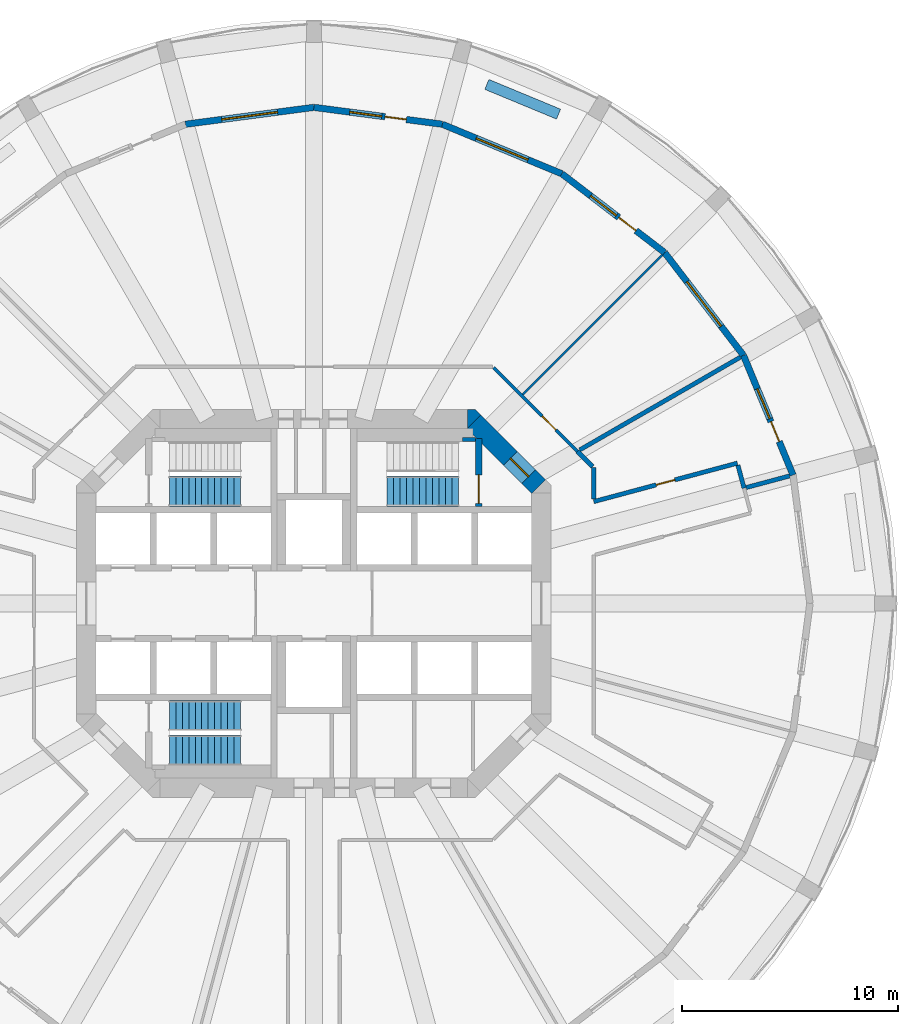
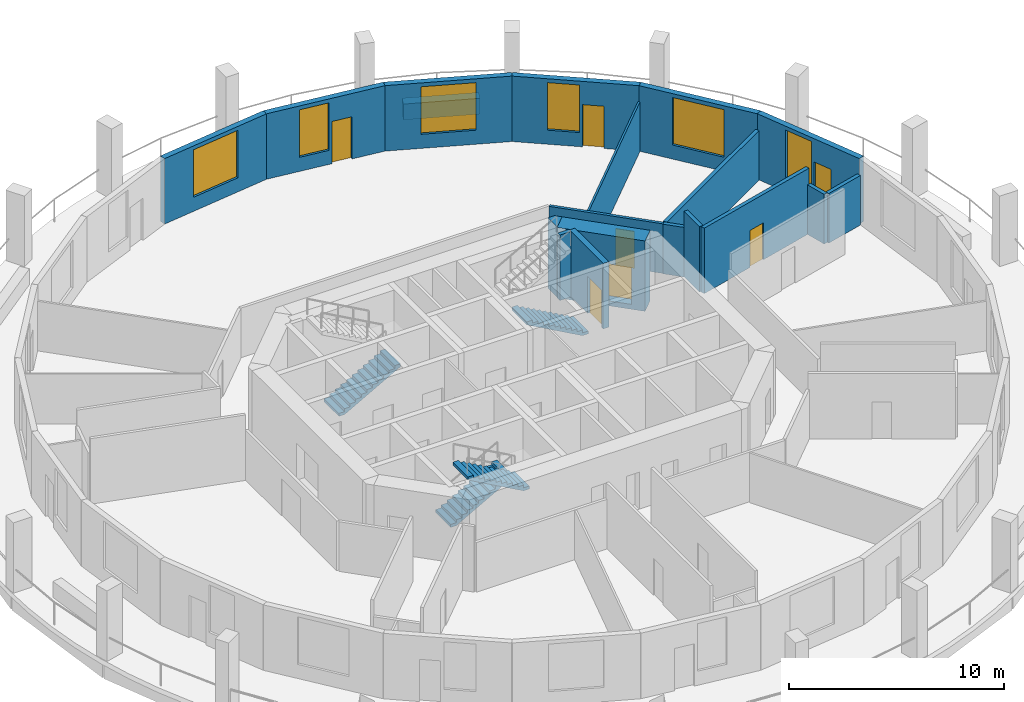
# One storey, part 6 of 9: 19 walls, 7 doors, 6 windows, 4 stair flights, 13 openings, 3 elements without a shape of their own.
"""IFC4 building model written with IfcOpenShell, lengths in metres."""

from ifc_helpers import new_model, si_unit, direction, frame, frame_2d, origin, place, context, subcontext, project, spatial, polyline, rectangle, outline, extrude, material, layer, layer_set, type_object, element, fill, aggregate, save


model = new_model("IFC4")

# Units and contexts
model_context = context("Model", 3, precision=1e-05, world=origin(), true_north=direction((0.0, 1.0)))
body_context = subcontext(model_context, "Body", "Model", "MODEL_VIEW")
ifc_project = project(units=[si_unit("LENGTHUNIT", "METRE"), si_unit("AREAUNIT", "SQUARE_METRE"), si_unit("VOLUMEUNIT", "CUBIC_METRE"), si_unit("PLANEANGLEUNIT", "RADIAN"), si_unit("MASSUNIT", "GRAM", prefix="KILO")], contexts=[model_context])

# Site, building, storey
site_placement = place(None, origin())
site = spatial("IfcSite", under=ifc_project, at=site_placement, CompositionType="ELEMENT")
building_placement = place(site_placement, origin())
building = spatial("IfcBuilding", under=site, at=building_placement, Name="Torre Triforio", CompositionType="ELEMENT")
storey_placement = place(building_placement, frame((0.0, 0.0, 39.0)))
storey = spatial("IfcBuildingStorey", under=building, at=storey_placement, Name="L07", CompositionType="ELEMENT", Elevation=39.0)

# Wall, opening, door
ifc_material_1 = material(Name="Concrete C60", Category="concrete")
ifc_layer_1 = layer(ifc_material_1, 0.89990234375)
ifc_layer_set_1 = layer_set([ifc_layer_1], Name="Concrete C60")
wall_type_1 = type_object("IfcWallType", Name="Core wall 900 mm C60 EI 120", PredefinedType="SHEAR", material=ifc_layer_set_1)
wall_1_placement = place(storey_placement, frame((7.418212890625, 8.418212890625, -0.280029296875), z_axis=(0.0, 0.0, 1.0), x_axis=(0.707106781187, -0.707106781187, 0.0)))
wall_1 = element("IfcWall", 1, at=wall_1_placement, inside=storey, type_object=wall_type_1, Name="Core wall", PredefinedType="SHEAR", context=body_context, shape_type="SweptSolid", body=[
    extrude(rectangle(XDim=4.24267578125, YDim=0.89990234375, at=frame_2d((2.121337890625, 0.0))), origin(), (0.0, 0.0, 1.0), 4.0),
])
opening_1_placement = place(wall_1_placement, frame((2.392578125, 0.0, 0.280029296875)))
opening_1 = element("IfcOpeningElement", 2, at=opening_1_placement, cuts=wall_1, Name="Opening ST2-EXIT", PredefinedType="OPENING", context=body_context, shape_type="SweptSolid", body=[
    extrude(rectangle(XDim=1.199951171875, YDim=2.10009765625, at=frame_2d((0.60009765625, 1.050048828125))), frame((0.0, 0.4599609375, 0.0), z_axis=(0.0, -1.0, 0.0), x_axis=(1.0, 0.0, 0.0)), (0.0, 0.0, 1.0), 0.919921875),
])
ifc_material_2 = material(Name="Hollow metal fire door leaf")
door_type_1 = type_object("IfcDoorType", Name="Stair lobby door 1200 x 2100 EI 60", OperationType="NOTDEFINED", PredefinedType="DOOR", material=ifc_material_2)
door_1_placement = place(opening_1_placement, origin())
door_1 = element("IfcDoor", 3, at=door_1_placement, inside=storey, type_object=door_type_1, Name="Core door ST2-EXIT", OperationType="SINGLE_SWING_RIGHT", OverallHeight=2.10009765625, OverallWidth=1.199951171875, PredefinedType="DOOR", context=body_context, shape_type="SweptSolid", body=[
    extrude(rectangle(XDim=1.199951171875, YDim=2.10009765625, at=frame_2d((0.60009765625, 1.050048828125))), frame((0.0, 0.02490234375, 0.0), z_axis=(0.0, -1.0, 0.0), x_axis=(1.0, 0.0, 0.0)), (0.0, 0.0, 1.0), 0.050048828125),
])
fill(opening_1, door_1)

# Wall
wall_2_placement = place(storey_placement, frame((0.0, 0.0, -0.280029296875)))
element("IfcWall", 4, at=wall_2_placement, inside=storey, type_object=wall_type_1, Name="Core wall", PredefinedType="SHEAR", context=body_context, shape_type="SweptSolid", body=[
    extrude(outline(polyline([(7.472900390625, 9.0), (7.736328125, 8.736328125), (7.1298828125, 8.1298828125), (7.1298828125, 9.0), (7.472900390625, 9.0)])), origin(), (0.0, 0.0, 1.0), 4.0),
])

# Wall, opening, door
ifc_material_3 = material(Name="Plasterboard on metal studs")
ifc_layer_2 = layer(ifc_material_3, 0.14990234375)
ifc_layer_set_2 = layer_set([ifc_layer_2], Name="Plasterboard on metal studs")
wall_type_2 = type_object("IfcWallType", Name="Corridor and tenancy wall 150 mm EI 60", PredefinedType="PARTITIONING", material=ifc_layer_set_2)
wall_3_placement = place(storey_placement, frame((8.327880859375, 10.93798828125, 0.0), z_axis=(0.0, 0.0, 1.0), x_axis=(0.707106781187, -0.707106781187, 0.0)))
wall_3 = element("IfcWall", 5, at=wall_3_placement, inside=storey, type_object=wall_type_2, Name="Partition 21", PredefinedType="PARTITIONING", context=body_context, shape_type="SweptSolid", body=[
    extrude(rectangle(XDim=5.495849609375, YDim=0.14990234375, at=frame_2d((2.748046875, 0.0))), origin(), (0.0, 0.0, 1.0), 2.820068359375),
])
opening_2_placement = place(wall_3_placement, frame((3.195556640625, 0.0, 0.0)))
opening_2 = element("IfcOpeningElement", 6, at=opening_2_placement, cuts=wall_3, Name="Opening N2-12", PredefinedType="OPENING", context=body_context, shape_type="SweptSolid", body=[
    extrude(rectangle(XDim=0.89990234375, YDim=2.10009765625, at=frame_2d((0.449951171875, 1.050048828125))), frame((0.0, 0.0849609375, 0.0), z_axis=(0.0, -1.0, 0.0), x_axis=(1.0, 0.0, 0.0)), (0.0, 0.0, 1.0), 0.169921875),
])
ifc_material_4 = material(Name="Timber", Category="wood")
door_type_2 = type_object("IfcDoorType", Name="Door 900 x 2100 single leaf EI 30", OperationType="NOTDEFINED", PredefinedType="DOOR", material=ifc_material_4)
door_2_placement = place(opening_2_placement, origin())
door_2 = element("IfcDoor", 7, at=door_2_placement, inside=storey, type_object=door_type_2, Name="Door N2-12", OperationType="SINGLE_SWING_RIGHT", OverallHeight=2.10009765625, OverallWidth=0.89990234375, PredefinedType="DOOR", context=body_context, shape_type="SweptSolid", body=[
    extrude(rectangle(XDim=0.89990234375, YDim=2.10009765625, at=frame_2d((0.449951171875, 1.050048828125))), frame((0.0, 0.02490234375, 0.0), z_axis=(0.0, -1.0, 0.0), x_axis=(1.0, 0.0, 0.0)), (0.0, 0.0, 1.0), 0.050048828125),
])
fill(opening_2, door_2)

# Walls
ifc_layer_3 = layer(ifc_material_3, 0.10009765625)
ifc_layer_set_3 = layer_set([ifc_layer_3], Name="Plasterboard on metal studs")
wall_type_3 = type_object("IfcWallType", Name="Partition 100 mm board on metal studs", PredefinedType="PARTITIONING", material=ifc_layer_set_3)
wall_4_placement = place(storey_placement, frame((9.68603515625, 9.68603515625, 0.0), z_axis=(0.0, 0.0, 1.0), x_axis=(0.707106781187, 0.707106781187, 0.0)))
element("IfcWall", 8, at=wall_4_placement, inside=storey, type_object=wall_type_3, Name="Partition 32", PredefinedType="PARTITIONING", context=body_context, shape_type="SweptSolid", body=[
    extrude(rectangle(XDim=9.138427734375, YDim=0.10009765625, at=frame_2d((4.5693359375, 0.0))), origin(), (0.0, 0.0, 1.0), 2.820068359375),
])
ifc_material_5 = material(Name="Masonry block", Category="masonry")
ifc_layer_4 = layer(ifc_material_5, 0.199951171875)
ifc_layer_set_4 = layer_set([ifc_layer_4], Name="Masonry block")
wall_type_4 = type_object("IfcWallType", Name="Plant room wall 200 mm block EI 120", PredefinedType="PARTITIONING", material=ifc_layer_set_4)
wall_5_placement = place(storey_placement, frame((12.214111328125, 7.0517578125, 0.0), z_axis=(0.0, 0.0, 1.0), x_axis=(0.707106781187, -0.707106781187, 0.0)))
element("IfcWall", 9, at=wall_5_placement, inside=storey, type_object=wall_type_4, Name="Partition 22", PredefinedType="PARTITIONING", context=body_context, shape_type="SweptSolid", body=[
    extrude(rectangle(XDim=1.006103515625, YDim=0.199951171875, at=frame_2d((0.5029296875, 0.0))), origin(), (0.0, 0.0, 1.0), 2.820068359375),
])
wall_6_placement = place(storey_placement, frame((12.97509765625, 6.291015625, 0.0), z_axis=(0.0, 0.0, 1.0), x_axis=(0.0, -1.0, 0.0)))
element("IfcWall", 10, at=wall_6_placement, inside=storey, type_object=wall_type_4, Name="Partition 23", PredefinedType="PARTITIONING", context=body_context, shape_type="SweptSolid", body=[
    extrude(rectangle(XDim=1.44189453125, YDim=0.199951171875, at=frame_2d((0.720947265625, 0.0))), origin(), (0.0, 0.0, 1.0), 3.719970703125),
])

# Wall, opening, door
wall_7_placement = place(storey_placement, frame((12.97509765625, 4.718994140625, 0.0), z_axis=(0.0, 0.0, 1.0), x_axis=(0.965924499418, 0.258823997003, 0.0)))
wall_7 = element("IfcWall", 11, at=wall_7_placement, inside=storey, type_object=wall_type_4, Name="Partition 24", PredefinedType="PARTITIONING", context=body_context, shape_type="SweptSolid", body=[
    extrude(rectangle(XDim=6.894287109375, YDim=0.199951171875, at=frame_2d((3.447265625, 0.0))), origin(), (0.0, 0.0, 1.0), 3.719970703125),
])
opening_3_placement = place(wall_7_placement, frame((2.997314453125, 0.0, 0.0)))
opening_3 = element("IfcOpeningElement", 12, at=opening_3_placement, cuts=wall_7, Name="Opening N2-11", PredefinedType="OPENING", context=body_context, shape_type="SweptSolid", body=[
    extrude(rectangle(XDim=0.89990234375, YDim=2.10009765625, at=frame_2d((0.449951171875, 1.050048828125))), frame((0.0, 0.10986328125, 0.0), z_axis=(0.0, -1.0, 0.0), x_axis=(1.0, 0.0, 0.0)), (0.0, 0.0, 1.0), 0.219970703125),
])
door_type_3 = type_object("IfcDoorType", Name="Door 900 x 2100 single leaf EI 60", OperationType="NOTDEFINED", PredefinedType="DOOR", material=ifc_material_2)
door_3_placement = place(opening_3_placement, origin())
door_3 = element("IfcDoor", 13, at=door_3_placement, inside=storey, type_object=door_type_3, Name="Door N2-11", OperationType="SINGLE_SWING_LEFT", OverallHeight=2.10009765625, OverallWidth=0.89990234375, PredefinedType="DOOR", context=body_context, shape_type="SweptSolid", body=[
    extrude(rectangle(XDim=0.89990234375, YDim=2.10009765625, at=frame_2d((0.449951171875, 1.050048828125))), frame((0.0, 0.02490234375, 0.0), z_axis=(0.0, -1.0, 0.0), x_axis=(1.0, 0.0, 0.0)), (0.0, 0.0, 1.0), 0.050048828125),
])
fill(opening_3, door_3)

# Walls
wall_8_placement = place(storey_placement, frame((19.660400390625, 6.40673828125, 0.0), z_axis=(0.0, 0.0, 1.0), x_axis=(0.258795254151, -0.965932200741, 0.0)))
element("IfcWall", 14, at=wall_8_placement, inside=storey, type_object=wall_type_4, Name="Partition 25", PredefinedType="PARTITIONING", context=body_context, shape_type="SweptSolid", body=[
    extrude(rectangle(XDim=1.099853515625, YDim=0.199951171875, at=frame_2d((0.5498046875, 0.0))), origin(), (0.0, 0.0, 1.0), 2.820068359375),
])
wall_9_placement = place(storey_placement, frame((20.041748046875, 5.3701171875, 0.0), z_axis=(0.0, 0.0, 1.0), x_axis=(0.965912035991, 0.258870505712, 0.0)))
element("IfcWall", 15, at=wall_9_placement, inside=storey, type_object=wall_type_4, Name="Partition 30", PredefinedType="PARTITIONING", context=body_context, shape_type="SweptSolid", body=[
    extrude(rectangle(XDim=2.088134765625, YDim=0.199951171875, at=frame_2d((1.0439453125, 0.0))), origin(), (0.0, 0.0, 1.0), 2.820068359375),
])
wall_10_placement = place(storey_placement, frame((12.32666015625, 7.11669921875, 0.0), z_axis=(0.0, 0.0, 1.0), x_axis=(0.866013092914, 0.500021322448, 0.0)))
element("IfcWall", 16, at=wall_10_placement, inside=storey, type_object=wall_type_4, Name="Partition 31", PredefinedType="PARTITIONING", context=body_context, shape_type="SweptSolid", body=[
    extrude(rectangle(XDim=8.60302734375, YDim=0.199951171875, at=frame_2d((4.301513671875, 0.0))), origin(), (0.0, 0.0, 1.0), 2.820068359375),
])
ifc_material_6 = material(Name="Limestone cladding", Category="masonry")
ifc_layer_5 = layer(ifc_material_6, 0.10009765625)
ifc_material_7 = material(Name="Concrete C40", Category="concrete")
ifc_layer_6 = layer(ifc_material_7, 0.39990234375)
ifc_layer_set_5 = layer_set([ifc_layer_5, ifc_layer_6], Name="Limestone cladding / Concrete C40")
wall_type_5 = type_object("IfcWallType", Name="Planter wall 500", PredefinedType="PARAPET", material=ifc_layer_set_5)
wall_11_placement = place(storey_placement, frame((11.344970703125, 22.685302734375, 0.0), z_axis=(0.0, 0.0, 1.0), x_axis=(-0.923885420167, 0.382669217998, 0.0)))
element("IfcWall", 17, at=wall_11_placement, inside=storey, type_object=wall_type_5, Name="Planter L07 bay 05", PredefinedType="PARAPET", context=body_context, shape_type="SweptSolid", body=[
    extrude(rectangle(XDim=3.60009765625, YDim=0.5, at=frame_2d((1.800048828125, 0.0))), origin(), (0.0, 0.0, 1.0), 0.89990234375),
])
ifc_layer_7 = layer(ifc_material_1, 0.199951171875)
ifc_layer_set_6 = layer_set([ifc_layer_7], Name="Concrete C60")
wall_type_6 = type_object("IfcWallType", Name="Stair wall 200 mm C60 EI 120", PredefinedType="SHEAR", material=ifc_layer_set_6)
wall_12_placement = place(storey_placement, frame((6.89990234375, 7.60009765625, 0.0), z_axis=(0.0, 0.0, 1.0), x_axis=(1.0, 0.0, 0.0)))
element("IfcWall", 18, at=wall_12_placement, inside=storey, type_object=wall_type_6, Name="Stair wall", PredefinedType="SHEAR", context=body_context, shape_type="SweptSolid", body=[
    extrude(rectangle(XDim=0.60009765625, YDim=0.199951171875, at=frame_2d((0.300048828125, 0.0))), origin(), (0.0, 0.0, 1.0), 3.719970703125),
])

# Wall, opening, door
ifc_layer_8 = layer(ifc_material_1, 0.300048828125)
ifc_layer_set_7 = layer_set([ifc_layer_8], Name="Concrete C60")
wall_type_7 = type_object("IfcWallType", Name="Stair wall 300 mm C60 EI 120", PredefinedType="SHEAR", material=ifc_layer_set_7)
wall_13_placement = place(storey_placement, frame((7.64990234375, 4.5, 0.0), z_axis=(0.0, 0.0, 1.0), x_axis=(0.0, 1.0, 0.0)))
wall_13 = element("IfcWall", 19, at=wall_13_placement, inside=storey, type_object=wall_type_7, Name="Stair wall", PredefinedType="SHEAR", context=body_context, shape_type="SweptSolid", body=[
    extrude(rectangle(XDim=3.139892578125, YDim=0.300048828125, at=frame_2d((1.56982421875, 0.0))), origin(), (0.0, 0.0, 1.0), 3.719970703125),
])
opening_4_placement = place(wall_13_placement, frame((0.139892578125, 0.0, 0.0)))
opening_4 = element("IfcOpeningElement", 20, at=opening_4_placement, cuts=wall_13, Name="Opening ST2-STA", PredefinedType="OPENING", context=body_context, shape_type="SweptSolid", body=[
    extrude(rectangle(XDim=1.320068359375, YDim=2.10009765625, at=frame_2d((0.66015625, 1.050048828125))), frame((0.0, 0.159912109375, 0.0), z_axis=(0.0, -1.0, 0.0), x_axis=(1.0, 0.0, 0.0)), (0.0, 0.0, 1.0), 0.320068359375),
])
door_type_4 = type_object("IfcDoorType", Name="Stair door 1320 x 2100 EI 90", OperationType="DOUBLE_DOOR_SINGLE_SWING", PredefinedType="DOOR", material=ifc_material_2)
door_4_placement = place(opening_4_placement, origin())
door_4 = element("IfcDoor", 21, at=door_4_placement, inside=storey, type_object=door_type_4, Name="Core door ST2-ST", OperationType="DOUBLE_DOOR_SINGLE_SWING", OverallHeight=2.10009765625, OverallWidth=1.320068359375, PredefinedType="DOOR", context=body_context, shape_type="SweptSolid", body=[
    extrude(rectangle(XDim=1.320068359375, YDim=2.10009765625, at=frame_2d((0.66015625, 1.050048828125))), frame((0.0, 0.02490234375, 0.0), z_axis=(0.0, -1.0, 0.0), x_axis=(1.0, 0.0, 0.0)), (0.0, 0.0, 1.0), 0.050048828125),
])
fill(opening_4, door_4)

# Wall, openings, door, window
ifc_layer_9 = layer(ifc_material_6, 0.10009765625)
ifc_layer_10 = layer(ifc_material_7, 0.199951171875)
ifc_layer_set_8 = layer_set([ifc_layer_9, ifc_layer_10], Name="Limestone cladding / Concrete C40")
wall_type_8 = type_object("IfcWallType", Name="Stone-faced composite wall 300", PredefinedType="STANDARD", material=ifc_layer_set_8)
wall_14_placement = place(storey_placement, frame((22.21630859375, 5.952880859375, 0.0), z_axis=(0.0, 0.0, 1.0), x_axis=(-0.382671411433, 0.923884511653, 0.0)))
wall_14 = element("IfcWall", 22, at=wall_14_placement, inside=storey, type_object=wall_type_8, Name="External wall L07 bay 02", PredefinedType="STANDARD", context=body_context, shape_type="SweptSolid", body=[
    extrude(rectangle(XDim=6.004150390625, YDim=0.300048828125, at=frame_2d((3.001953125, 0.0))), origin(), (0.0, 0.0, 1.0), 3.719970703125),
])
opening_5_placement = place(wall_14_placement, frame((1.677001953125, 0.0, 0.0)))
opening_5 = element("IfcOpeningElement", 23, at=opening_5_placement, cuts=wall_14, Name="Opening N2-D02", PredefinedType="OPENING", context=body_context, shape_type="SweptSolid", body=[
    extrude(rectangle(XDim=1.0, YDim=2.39990234375, at=frame_2d((0.5, 1.199951171875))), frame((0.0, 0.159912109375, 0.0), z_axis=(0.0, -1.0, 0.0), x_axis=(1.0, 0.0, 0.0)), (0.0, 0.0, 1.0), 0.320068359375),
])
opening_6_placement = place(wall_14_placement, frame((2.8271484375, 0.0, 0.800048828125)))
opening_6 = element("IfcOpeningElement", 24, at=opening_6_placement, cuts=wall_14, Name="Opening N2-W02A", PredefinedType="OPENING", context=body_context, shape_type="SweptSolid", body=[
    extrude(rectangle(XDim=1.5, YDim=2.699951171875, at=frame_2d((0.75, 1.35009765625))), frame((0.0, 0.159912109375, 0.0), z_axis=(0.0, -1.0, 0.0), x_axis=(1.0, 0.0, 0.0)), (0.0, 0.0, 1.0), 0.320068359375),
])
ifc_material_8 = material(Name="Aluminium frame with clear double glazing", Category="aluminium")
door_type_5 = type_object("IfcDoorType", Name="Loggia door 1000 x 2400", OperationType="NOTDEFINED", PredefinedType="DOOR", material=ifc_material_8)
door_5_placement = place(opening_5_placement, origin())
door_5 = element("IfcDoor", 25, at=door_5_placement, inside=storey, type_object=door_type_5, Name="Loggia door L07 bay 02", OperationType="SINGLE_SWING_LEFT", OverallHeight=2.39990234375, OverallWidth=1.0, PredefinedType="DOOR", context=body_context, shape_type="SweptSolid", body=[
    extrude(rectangle(XDim=1.0, YDim=2.39990234375, at=frame_2d((0.5, 1.199951171875))), frame((0.0, 0.02490234375, 0.0), z_axis=(0.0, -1.0, 0.0), x_axis=(1.0, 0.0, 0.0)), (0.0, 0.0, 1.0), 0.050048828125),
])
fill(opening_5, door_5)
window_type_1 = type_object("IfcWindowType", Name="Side window 1500 x 2700", PartitioningType="SINGLE_PANEL", PredefinedType="WINDOW", material=ifc_material_8)
window_1_placement = place(opening_6_placement, origin())
window_1 = element("IfcWindow", 26, at=window_1_placement, inside=storey, type_object=window_type_1, Name="Side window EWN12 L07 bay 02", OverallHeight=2.699951171875, OverallWidth=1.5, PartitioningType="SINGLE_PANEL", PredefinedType="WINDOW", context=body_context, shape_type="SweptSolid", body=[
    extrude(rectangle(XDim=1.5, YDim=2.699951171875, at=frame_2d((0.75, 1.35009765625))), frame((0.0, 0.030029296875, 0.0), z_axis=(0.0, -1.0, 0.0), x_axis=(1.0, 0.0, 0.0)), (0.0, 0.0, 1.0), 0.06005859375),
])
fill(opening_6, window_1)

# Wall, opening, window
wall_15_placement = place(storey_placement, frame((19.918701171875, 11.5, 0.0), z_axis=(0.0, 0.0, 1.0), x_axis=(-0.608778912074, 0.793339924758, 0.0)))
wall_15 = element("IfcWall", 27, at=wall_15_placement, inside=storey, type_object=wall_type_8, Name="External wall L07 bay 03", PredefinedType="STANDARD", context=body_context, shape_type="SweptSolid", body=[
    extrude(rectangle(XDim=6.004150390625, YDim=0.300048828125, at=frame_2d((3.001953125, 0.0))), origin(), (0.0, 0.0, 1.0), 3.719970703125),
])
opening_7_placement = place(wall_15_placement, frame((1.7021484375, 0.0, 0.800048828125)))
opening_7 = element("IfcOpeningElement", 28, at=opening_7_placement, cuts=wall_15, Name="Opening N2-W03", PredefinedType="OPENING", context=body_context, shape_type="SweptSolid", body=[
    extrude(rectangle(XDim=2.60009765625, YDim=2.699951171875, at=frame_2d((1.300048828125, 1.35009765625))), frame((0.0, 0.159912109375, 0.0), z_axis=(0.0, -1.0, 0.0), x_axis=(1.0, 0.0, 0.0)), (0.0, 0.0, 1.0), 0.320068359375),
])
window_type_2 = type_object("IfcWindowType", Name="Punched window 2600 x 2700", PartitioningType="DOUBLE_PANEL_VERTICAL", PredefinedType="WINDOW", material=ifc_material_8)
window_2_placement = place(opening_7_placement, origin())
window_2 = element("IfcWindow", 29, at=window_2_placement, inside=storey, type_object=window_type_2, Name="Window EWN2 L07 bay 03", OverallHeight=2.699951171875, OverallWidth=2.60009765625, PartitioningType="SINGLE_PANEL", PredefinedType="WINDOW", context=body_context, shape_type="SweptSolid", body=[
    extrude(rectangle(XDim=2.60009765625, YDim=2.699951171875, at=frame_2d((1.300048828125, 1.35009765625))), frame((0.0, 0.030029296875, 0.0), z_axis=(0.0, -1.0, 0.0), x_axis=(1.0, 0.0, 0.0)), (0.0, 0.0, 1.0), 0.06005859375),
])
fill(opening_7, window_2)

# Wall, openings, door, window
wall_16_placement = place(storey_placement, frame((16.263427734375, 16.263427734375, 0.0), z_axis=(0.0, 0.0, 1.0), x_axis=(-0.793339924758, 0.608778912074, 0.0)))
wall_16 = element("IfcWall", 30, at=wall_16_placement, inside=storey, type_object=wall_type_8, Name="External wall L07 bay 04", PredefinedType="STANDARD", context=body_context, shape_type="SweptSolid", body=[
    extrude(rectangle(XDim=6.004150390625, YDim=0.300048828125, at=frame_2d((3.001953125, 0.0))), origin(), (0.0, 0.0, 1.0), 3.719970703125),
])
opening_8_placement = place(wall_16_placement, frame((1.677001953125, 0.0, 0.0)))
opening_8 = element("IfcOpeningElement", 31, at=opening_8_placement, cuts=wall_16, Name="Opening N2-D04", PredefinedType="OPENING", context=body_context, shape_type="SweptSolid", body=[
    extrude(rectangle(XDim=1.0, YDim=2.39990234375, at=frame_2d((0.5, 1.199951171875))), frame((0.0, 0.159912109375, 0.0), z_axis=(0.0, -1.0, 0.0), x_axis=(1.0, 0.0, 0.0)), (0.0, 0.0, 1.0), 0.320068359375),
])
opening_9_placement = place(wall_16_placement, frame((2.8271484375, 0.0, 0.800048828125)))
opening_9 = element("IfcOpeningElement", 32, at=opening_9_placement, cuts=wall_16, Name="Opening N2-W04A", PredefinedType="OPENING", context=body_context, shape_type="SweptSolid", body=[
    extrude(rectangle(XDim=1.5, YDim=2.699951171875, at=frame_2d((0.75, 1.35009765625))), frame((0.0, 0.159912109375, 0.0), z_axis=(0.0, -1.0, 0.0), x_axis=(1.0, 0.0, 0.0)), (0.0, 0.0, 1.0), 0.320068359375),
])
door_6_placement = place(opening_8_placement, origin())
door_6 = element("IfcDoor", 33, at=door_6_placement, inside=storey, type_object=door_type_5, Name="Loggia door L07 bay 04", OperationType="SINGLE_SWING_LEFT", OverallHeight=2.39990234375, OverallWidth=1.0, PredefinedType="DOOR", context=body_context, shape_type="SweptSolid", body=[
    extrude(rectangle(XDim=1.0, YDim=2.39990234375, at=frame_2d((0.5, 1.199951171875))), frame((0.0, 0.02490234375, 0.0), z_axis=(0.0, -1.0, 0.0), x_axis=(1.0, 0.0, 0.0)), (0.0, 0.0, 1.0), 0.050048828125),
])
fill(opening_8, door_6)
window_3_placement = place(opening_9_placement, origin())
window_3 = element("IfcWindow", 34, at=window_3_placement, inside=storey, type_object=window_type_1, Name="Side window EWN12 L07 bay 04", OverallHeight=2.699951171875, OverallWidth=1.5, PartitioningType="SINGLE_PANEL", PredefinedType="WINDOW", context=body_context, shape_type="SweptSolid", body=[
    extrude(rectangle(XDim=1.5, YDim=2.699951171875, at=frame_2d((0.75, 1.35009765625))), frame((0.0, 0.030029296875, 0.0), z_axis=(0.0, -1.0, 0.0), x_axis=(1.0, 0.0, 0.0)), (0.0, 0.0, 1.0), 0.06005859375),
])
fill(opening_9, window_3)

# Wall, opening, window
wall_17_placement = place(storey_placement, frame((11.5, 19.918701171875, 0.0), z_axis=(0.0, 0.0, 1.0), x_axis=(-0.923884511653, 0.382671411433, 0.0)))
wall_17 = element("IfcWall", 35, at=wall_17_placement, inside=storey, type_object=wall_type_8, Name="External wall L07 bay 05", PredefinedType="STANDARD", context=body_context, shape_type="SweptSolid", body=[
    extrude(rectangle(XDim=6.004150390625, YDim=0.300048828125, at=frame_2d((3.001953125, 0.0))), origin(), (0.0, 0.0, 1.0), 3.719970703125),
])
opening_10_placement = place(wall_17_placement, frame((1.7021484375, 0.0, 0.800048828125)))
opening_10 = element("IfcOpeningElement", 36, at=opening_10_placement, cuts=wall_17, Name="Opening N2-W05", PredefinedType="OPENING", context=body_context, shape_type="SweptSolid", body=[
    extrude(rectangle(XDim=2.60009765625, YDim=2.699951171875, at=frame_2d((1.300048828125, 1.35009765625))), frame((0.0, 0.159912109375, 0.0), z_axis=(0.0, -1.0, 0.0), x_axis=(1.0, 0.0, 0.0)), (0.0, 0.0, 1.0), 0.320068359375),
])
window_4_placement = place(opening_10_placement, origin())
window_4 = element("IfcWindow", 37, at=window_4_placement, inside=storey, type_object=window_type_2, Name="Window EWN2 L07 bay 05", OverallHeight=2.699951171875, OverallWidth=2.60009765625, PartitioningType="SINGLE_PANEL", PredefinedType="WINDOW", context=body_context, shape_type="SweptSolid", body=[
    extrude(rectangle(XDim=2.60009765625, YDim=2.699951171875, at=frame_2d((1.300048828125, 1.35009765625))), frame((0.0, 0.030029296875, 0.0), z_axis=(0.0, -1.0, 0.0), x_axis=(1.0, 0.0, 0.0)), (0.0, 0.0, 1.0), 0.06005859375),
])
fill(opening_10, window_4)

# Wall, openings, door, window
wall_18_placement = place(storey_placement, frame((5.952880859375, 22.21630859375, 0.0), z_axis=(0.0, 0.0, 1.0), x_axis=(-0.991445297315, 0.130522880875, 0.0)))
wall_18 = element("IfcWall", 38, at=wall_18_placement, inside=storey, type_object=wall_type_8, Name="External wall L07 bay 06", PredefinedType="STANDARD", context=body_context, shape_type="SweptSolid", body=[
    extrude(rectangle(XDim=6.004150390625, YDim=0.300048828125, at=frame_2d((3.001953125, 0.0))), origin(), (0.0, 0.0, 1.0), 3.719970703125),
])
opening_11_placement = place(wall_18_placement, frame((1.677001953125, 0.0, 0.0)))
opening_11 = element("IfcOpeningElement", 39, at=opening_11_placement, cuts=wall_18, Name="Opening N2-D06", PredefinedType="OPENING", context=body_context, shape_type="SweptSolid", body=[
    extrude(rectangle(XDim=1.0, YDim=2.39990234375, at=frame_2d((0.5, 1.199951171875))), frame((0.0, 0.159912109375, 0.0), z_axis=(0.0, -1.0, 0.0), x_axis=(1.0, 0.0, 0.0)), (0.0, 0.0, 1.0), 0.320068359375),
])
opening_12_placement = place(wall_18_placement, frame((2.8271484375, 0.0, 0.800048828125)))
opening_12 = element("IfcOpeningElement", 40, at=opening_12_placement, cuts=wall_18, Name="Opening N2-W06A", PredefinedType="OPENING", context=body_context, shape_type="SweptSolid", body=[
    extrude(rectangle(XDim=1.5, YDim=2.699951171875, at=frame_2d((0.75, 1.35009765625))), frame((0.0, 0.159912109375, 0.0), z_axis=(0.0, -1.0, 0.0), x_axis=(1.0, 0.0, 0.0)), (0.0, 0.0, 1.0), 0.320068359375),
])
door_7_placement = place(opening_11_placement, origin())
door_7 = element("IfcDoor", 41, at=door_7_placement, inside=storey, type_object=door_type_5, Name="Loggia door L07 bay 06", OperationType="SINGLE_SWING_LEFT", OverallHeight=2.39990234375, OverallWidth=1.0, PredefinedType="DOOR", context=body_context, shape_type="SweptSolid", body=[
    extrude(rectangle(XDim=1.0, YDim=2.39990234375, at=frame_2d((0.5, 1.199951171875))), frame((0.0, 0.02490234375, 0.0), z_axis=(0.0, -1.0, 0.0), x_axis=(1.0, 0.0, 0.0)), (0.0, 0.0, 1.0), 0.050048828125),
])
fill(opening_11, door_7)
window_5_placement = place(opening_12_placement, origin())
window_5 = element("IfcWindow", 42, at=window_5_placement, inside=storey, type_object=window_type_1, Name="Side window EWN12 L07 bay 06", OverallHeight=2.699951171875, OverallWidth=1.5, PartitioningType="SINGLE_PANEL", PredefinedType="WINDOW", context=body_context, shape_type="SweptSolid", body=[
    extrude(rectangle(XDim=1.5, YDim=2.699951171875, at=frame_2d((0.75, 1.35009765625))), frame((0.0, 0.030029296875, 0.0), z_axis=(0.0, -1.0, 0.0), x_axis=(1.0, 0.0, 0.0)), (0.0, 0.0, 1.0), 0.06005859375),
])
fill(opening_12, window_5)

# Wall, opening, window
wall_19_placement = place(storey_placement, frame((0.0, 23.0, 0.0), z_axis=(0.0, 0.0, 1.0), x_axis=(-0.991445297315, -0.130522880875, 0.0)))
wall_19 = element("IfcWall", 43, at=wall_19_placement, inside=storey, type_object=wall_type_8, Name="External wall L07 bay 07", PredefinedType="STANDARD", context=body_context, shape_type="SweptSolid", body=[
    extrude(rectangle(XDim=6.004150390625, YDim=0.300048828125, at=frame_2d((3.001953125, 0.0))), origin(), (0.0, 0.0, 1.0), 3.719970703125),
])
opening_13_placement = place(wall_19_placement, frame((1.7021484375, 0.0, 0.800048828125)))
opening_13 = element("IfcOpeningElement", 44, at=opening_13_placement, cuts=wall_19, Name="Opening N2-W07", PredefinedType="OPENING", context=body_context, shape_type="SweptSolid", body=[
    extrude(rectangle(XDim=2.60009765625, YDim=2.699951171875, at=frame_2d((1.300048828125, 1.35009765625))), frame((0.0, 0.159912109375, 0.0), z_axis=(0.0, -1.0, 0.0), x_axis=(1.0, 0.0, 0.0)), (0.0, 0.0, 1.0), 0.320068359375),
])
window_6_placement = place(opening_13_placement, origin())
window_6 = element("IfcWindow", 45, at=window_6_placement, inside=storey, type_object=window_type_2, Name="Window EWN2 L07 bay 07", OverallHeight=2.699951171875, OverallWidth=2.60009765625, PartitioningType="SINGLE_PANEL", PredefinedType="WINDOW", context=body_context, shape_type="SweptSolid", body=[
    extrude(rectangle(XDim=2.60009765625, YDim=2.699951171875, at=frame_2d((1.300048828125, 1.35009765625))), frame((0.0, 0.030029296875, 0.0), z_axis=(0.0, -1.0, 0.0), x_axis=(1.0, 0.0, 0.0)), (0.0, 0.0, 1.0), 0.06005859375),
])
fill(opening_13, window_6)

# Stair, stair flight
stair_type = type_object("IfcStairType", Name="STAIR HALF-TURN", PredefinedType="HALF_TURN_STAIR", material=ifc_material_7)
stair_1_placement = place(storey_placement, origin())
stair_1 = element("IfcStair", 46, at=stair_1_placement, inside=storey, type_object=stair_type, Name="Exit stair 1", PredefinedType="HALF_TURN_STAIR")
stair_flight_type = type_object("IfcStairFlightType", Name="STAIR FLIGHT 1400", PredefinedType="STRAIGHT", material=ifc_material_7)
stair_flight_1_placement = place(storey_placement, frame((-6.699951171875, 5.199951171875, 0.0), z_axis=(0.0, 0.0, 1.0), x_axis=(1.0, 0.0, 0.0)))
stair_flight_1 = element("IfcStairFlight", 47, at=stair_flight_1_placement, type_object=stair_flight_type, Name="ST1 flight 1", NumberOfRisers=12, NumberOfTreads=11, PredefinedType="STRAIGHT", RiserHeight=0.166666667, TreadLength=0.3, context=body_context, shape_type="SweptSolid", body=[
    extrude(outline(polyline([(0.0, 0.0), (0.0, 0.166748046875), (0.300048828125, 0.166748046875), (0.300048828125, 0.333251953125), (0.60009765625, 0.333251953125), (0.60009765625, 0.5), (0.89990234375, 0.5), (0.89990234375, 0.666748046875), (1.199951171875, 0.666748046875), (1.199951171875, 0.833251953125), (1.5, 0.833251953125), (1.5, 1.0), (1.800048828125, 1.0), (1.800048828125, 1.166748046875), (2.10009765625, 1.166748046875), (2.10009765625, 1.333251953125), (2.39990234375, 1.333251953125), (2.39990234375, 1.5), (2.699951171875, 1.5), (2.699951171875, 1.666748046875), (3.0, 1.666748046875), (3.0, 1.833251953125), (3.300048828125, 1.833251953125), (3.300048828125, 2.0), (3.300048828125, 1.661865234375), (0.30859375, 0.0), (0.0, 0.0)])), frame((0.0, 0.699951171875, 0.0), z_axis=(0.0, -1.0, 0.0), x_axis=(1.0, 0.0, 0.0)), (0.0, 0.0, 1.0), 1.39990234375),
])
aggregate(stair_1, [stair_flight_1])

stair_2_placement = place(storey_placement, origin())
stair_2 = element("IfcStair", 48, at=stair_2_placement, inside=storey, type_object=stair_type, Name="Exit stair 2", PredefinedType="HALF_TURN_STAIR")
stair_flight_2_placement = place(storey_placement, frame((6.699951171875, 5.199951171875, 0.0), z_axis=(0.0, 0.0, 1.0), x_axis=(-1.0, 0.0, 0.0)))
stair_flight_2 = element("IfcStairFlight", 49, at=stair_flight_2_placement, type_object=stair_flight_type, Name="ST2 flight 1", NumberOfRisers=12, NumberOfTreads=11, PredefinedType="STRAIGHT", RiserHeight=0.166666667, TreadLength=0.3, context=body_context, shape_type="SweptSolid", body=[
    extrude(outline(polyline([(0.0, 0.0), (0.0, 0.166748046875), (0.300048828125, 0.166748046875), (0.300048828125, 0.333251953125), (0.60009765625, 0.333251953125), (0.60009765625, 0.5), (0.89990234375, 0.5), (0.89990234375, 0.666748046875), (1.199951171875, 0.666748046875), (1.199951171875, 0.833251953125), (1.5, 0.833251953125), (1.5, 1.0), (1.800048828125, 1.0), (1.800048828125, 1.166748046875), (2.10009765625, 1.166748046875), (2.10009765625, 1.333251953125), (2.39990234375, 1.333251953125), (2.39990234375, 1.5), (2.699951171875, 1.5), (2.699951171875, 1.666748046875), (3.0, 1.666748046875), (3.0, 1.833251953125), (3.300048828125, 1.833251953125), (3.300048828125, 2.0), (3.300048828125, 1.661865234375), (0.30859375, 0.0), (0.0, 0.0)])), frame((0.0, 0.699951171875, 0.0), z_axis=(0.0, -1.0, 0.0), x_axis=(1.0, 0.0, 0.0)), (0.0, 0.0, 1.0), 1.39990234375),
])
aggregate(stair_2, [stair_flight_2])

# Stair, stair flights
stair_3_placement = place(storey_placement, origin())
stair_3 = element("IfcStair", 50, at=stair_3_placement, inside=storey, type_object=stair_type, Name="Exit stair 3", PredefinedType="HALF_TURN_STAIR")
stair_flight_3_placement = place(storey_placement, frame((-6.699951171875, -5.199951171875, 0.0), z_axis=(0.0, 0.0, 1.0), x_axis=(1.0, 0.0, 0.0)))
stair_flight_3 = element("IfcStairFlight", 51, at=stair_flight_3_placement, type_object=stair_flight_type, Name="ST3 flight 1", NumberOfRisers=12, NumberOfTreads=11, PredefinedType="STRAIGHT", RiserHeight=0.166666667, TreadLength=0.3, context=body_context, shape_type="SweptSolid", body=[
    extrude(outline(polyline([(0.0, 0.0), (0.0, 0.166748046875), (0.300048828125, 0.166748046875), (0.300048828125, 0.333251953125), (0.60009765625, 0.333251953125), (0.60009765625, 0.5), (0.89990234375, 0.5), (0.89990234375, 0.666748046875), (1.199951171875, 0.666748046875), (1.199951171875, 0.833251953125), (1.5, 0.833251953125), (1.5, 1.0), (1.800048828125, 1.0), (1.800048828125, 1.166748046875), (2.10009765625, 1.166748046875), (2.10009765625, 1.333251953125), (2.39990234375, 1.333251953125), (2.39990234375, 1.5), (2.699951171875, 1.5), (2.699951171875, 1.666748046875), (3.0, 1.666748046875), (3.0, 1.833251953125), (3.300048828125, 1.833251953125), (3.300048828125, 2.0), (3.300048828125, 1.661865234375), (0.30859375, 0.0), (0.0, 0.0)])), frame((0.0, 0.699951171875, 0.0), z_axis=(0.0, -1.0, 0.0), x_axis=(1.0, 0.0, 0.0)), (0.0, 0.0, 1.0), 1.39990234375),
])
stair_flight_4_placement = place(storey_placement, frame((-3.39990234375, -6.800048828125, 2.0), z_axis=(0.0, 0.0, 1.0), x_axis=(-1.0, 0.0, 0.0)))
stair_flight_4 = element("IfcStairFlight", 52, at=stair_flight_4_placement, type_object=stair_flight_type, Name="ST3 flight 2", NumberOfRisers=12, NumberOfTreads=11, PredefinedType="STRAIGHT", RiserHeight=0.166666667, TreadLength=0.3, context=body_context, shape_type="SweptSolid", body=[
    extrude(outline(polyline([(0.0, 0.0), (0.0, 0.166748046875), (0.300048828125, 0.166748046875), (0.300048828125, 0.333251953125), (0.60009765625, 0.333251953125), (0.60009765625, 0.5), (0.89990234375, 0.5), (0.89990234375, 0.666748046875), (1.199951171875, 0.666748046875), (1.199951171875, 0.833251953125), (1.5, 0.833251953125), (1.5, 1.0), (1.800048828125, 1.0), (1.800048828125, 1.166748046875), (2.10009765625, 1.166748046875), (2.10009765625, 1.333251953125), (2.39990234375, 1.333251953125), (2.39990234375, 1.5), (2.699951171875, 1.5), (2.699951171875, 1.666748046875), (3.0, 1.666748046875), (3.0, 1.833251953125), (3.300048828125, 1.833251953125), (3.300048828125, 2.0), (3.300048828125, 1.661865234375), (0.30859375, 0.0), (0.0, 0.0)])), frame((0.0, 0.699951171875, 0.0), z_axis=(0.0, -1.0, 0.0), x_axis=(1.0, 0.0, 0.0)), (0.0, 0.0, 1.0), 1.39990234375),
])
aggregate(stair_3, [stair_flight_3, stair_flight_4])

save(model, "model.ifc")
